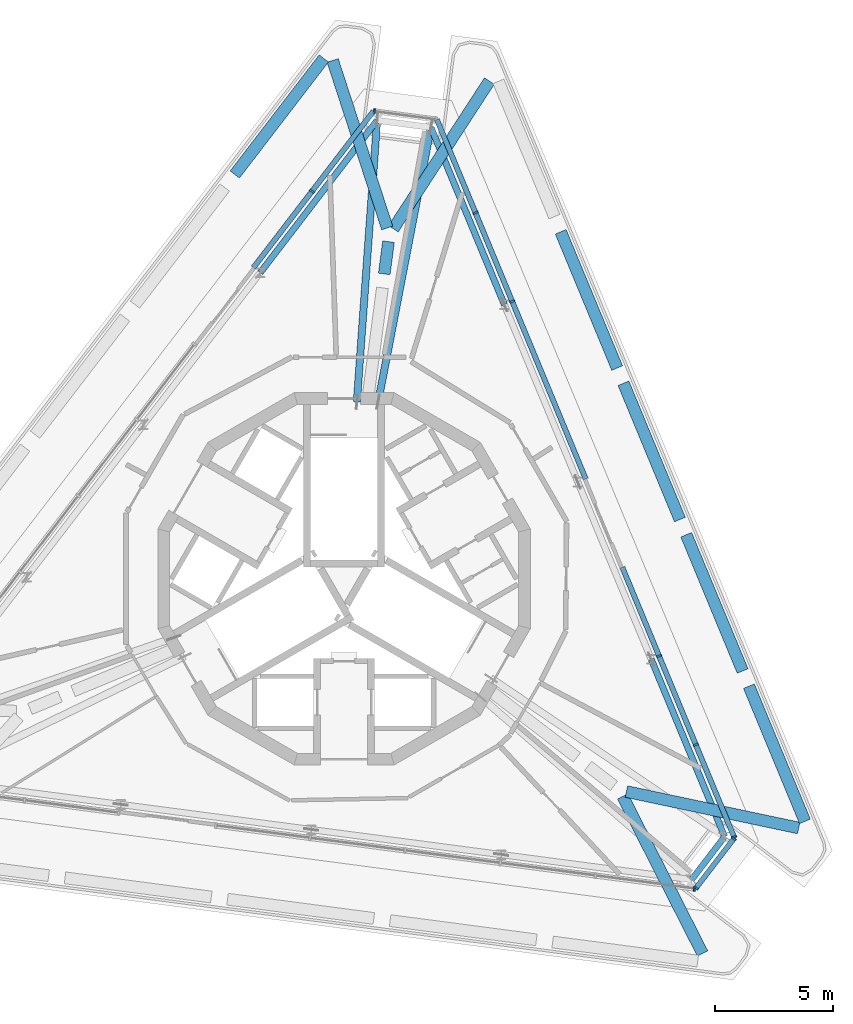
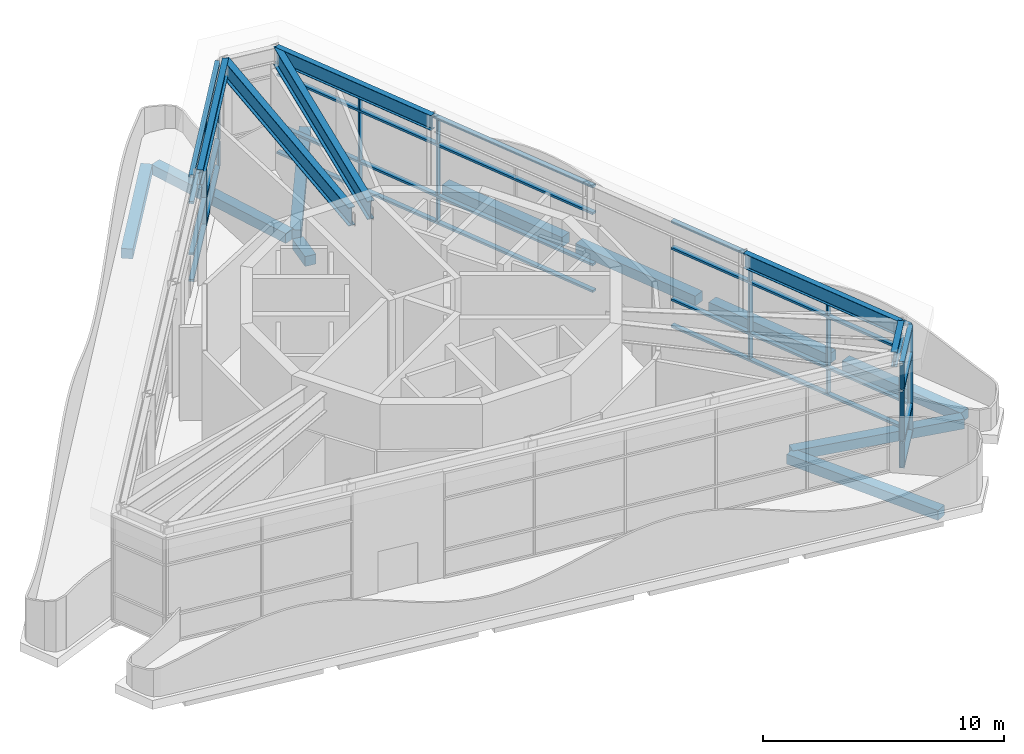
# One storey, part 4 of 10: 45 members, 16 beams, 6 elements without a shape of their own.
"""IFC4 building model written with IfcOpenShell, lengths in metres."""

from ifc_helpers import new_model, si_unit, direction, frame, origin, origin_2d, place, context, subcontext, project, spatial, rectangle, i_section, extrude, material, layer, layer_set, material_profile, profile_set, type_object, element, aggregate, save


model = new_model("IFC4")

# Units and contexts
model_context = context("Model", 3, precision=1e-05, world=origin(), true_north=direction((0.0, 1.0)))
body_context = subcontext(model_context, "Body", "Model", "MODEL_VIEW")
ifc_project = project(units=[si_unit("LENGTHUNIT", "METRE"), si_unit("AREAUNIT", "SQUARE_METRE"), si_unit("VOLUMEUNIT", "CUBIC_METRE"), si_unit("PLANEANGLEUNIT", "RADIAN"), si_unit("MASSUNIT", "GRAM", prefix="KILO")], contexts=[model_context])

# Site, building, storey
site_placement = place(None, origin())
site = spatial("IfcSite", under=ifc_project, at=site_placement, CompositionType="ELEMENT")
building_placement = place(site_placement, origin())
building = spatial("IfcBuilding", under=site, at=building_placement, Name="Trine Commons Tower", CompositionType="ELEMENT")
storey_placement = place(building_placement, frame((0.0, 0.0, 300.60009765625)))
storey = spatial("IfcBuildingStorey", under=building, at=storey_placement, Name="CROWN", CompositionType="ELEMENT", Elevation=300.60009765625)

# Curtain wall, members
ifc_material_1 = material(Name="Crown drum glazing: anodised aluminium frame with low-emissivity double glazed unit, fritted", Category="aluminium")
ifc_layer = layer(ifc_material_1, 0.219970703125)
ifc_layer_set = layer_set([ifc_layer], Name="Crown drum glazing: anodised aluminium frame with low-emissivity double glazed unit, fritted")
curtain_wall_type = type_object("IfcCurtainWallType", Name="Crown drum glazing curtain wall CW6", PredefinedType="NOTDEFINED", material=ifc_layer_set)
curtain_wall_1_placement = place(storey_placement, origin())
curtain_wall_1 = element("IfcCurtainWall", 1, at=curtain_wall_1_placement, inside=storey, type_object=curtain_wall_type, Name="Crown drum glazing D1.2", PredefinedType="NOTDEFINED")
ifc_material_2 = material(Name="Anodised aluminium, natural finish", Category="aluminium")
ifc_material_profile_1 = material_profile(ifc_material_2, rectangle(XDim=0.219970703125, YDim=0.080078125, at=origin_2d()), Name="Mullion 80x220")
ifc_profile_set_1 = profile_set([ifc_material_profile_1], Name="Anodised aluminium, natural finish")
member_type_1 = type_object("IfcMemberType", Name="Mullion 80x220, Anodised aluminium, natural finish", PredefinedType="MULLION", material=ifc_profile_set_1)
member_1_placement = place(storey_placement, frame((94.898193359375, 49.32568359375, 0.10986328125), z_axis=(0.0, 0.0, 1.0), x_axis=(0.13052619222, 0.991444861374, 0.0)))
member_1 = element("IfcMember", 2, at=member_1_placement, type_object=member_type_1, Name="CW6 mullion 6.1", PredefinedType="MULLION", context=body_context, shape_type="SweptSolid", body=[
    extrude(rectangle(XDim=0.219970703125, YDim=0.080078125, at=origin_2d()), origin(), (0.0, 0.0, 1.0), 1.235107421875),
])
member_2_placement = place(storey_placement, frame((94.898193359375, 49.32568359375, 1.454833984375), z_axis=(0.0, 0.0, 1.0), x_axis=(0.13052619222, 0.991444861374, 0.0)))
member_2 = element("IfcMember", 3, at=member_2_placement, type_object=member_type_1, Name="CW6 mullion 6.2", PredefinedType="MULLION", context=body_context, shape_type="SweptSolid", body=[
    extrude(rectangle(XDim=0.219970703125, YDim=0.080078125, at=origin_2d()), origin(), (0.0, 0.0, 1.0), 2.489990234375),
])
member_3_placement = place(storey_placement, frame((94.898193359375, 49.32568359375, 4.054931640625), z_axis=(0.0, 0.0, 1.0), x_axis=(0.13052619222, 0.991444861374, 0.0)))
member_3 = element("IfcMember", 4, at=member_3_placement, type_object=member_type_1, Name="CW6 mullion 6.3", PredefinedType="MULLION", context=body_context, shape_type="SweptSolid", body=[
    extrude(rectangle(XDim=0.219970703125, YDim=0.080078125, at=origin_2d()), origin(), (0.0, 0.0, 1.0), 1.23486328125),
])
aggregate(curtain_wall_1, [member_1, member_2, member_3])

curtain_wall_2_placement = place(storey_placement, origin())
curtain_wall_2 = element("IfcCurtainWall", 5, at=curtain_wall_2_placement, inside=storey, type_object=curtain_wall_type, Name="Crown drum glazing D2.1", PredefinedType="NOTDEFINED")
member_4_placement = place(storey_placement, frame((94.962158203125, 49.35205078125, 0.10986328125), z_axis=(0.0, 0.0, 1.0), x_axis=(-0.793353340291, 0.608761429009, 0.0)))
member_4 = element("IfcMember", 6, at=member_4_placement, type_object=member_type_1, Name="CW6 mullion 1.1", PredefinedType="MULLION", context=body_context, shape_type="SweptSolid", body=[
    extrude(rectangle(XDim=0.219970703125, YDim=0.080078125, at=origin_2d()), origin(), (0.0, 0.0, 1.0), 1.235107421875),
])
member_5_placement = place(storey_placement, frame((94.962158203125, 49.35205078125, 1.454833984375), z_axis=(0.0, 0.0, 1.0), x_axis=(-0.793353340291, 0.608761429009, 0.0)))
member_5 = element("IfcMember", 7, at=member_5_placement, type_object=member_type_1, Name="CW6 mullion 1.2", PredefinedType="MULLION", context=body_context, shape_type="SweptSolid", body=[
    extrude(rectangle(XDim=0.219970703125, YDim=0.080078125, at=origin_2d()), origin(), (0.0, 0.0, 1.0), 2.489990234375),
])
member_6_placement = place(storey_placement, frame((94.962158203125, 49.35205078125, 4.054931640625), z_axis=(0.0, 0.0, 1.0), x_axis=(-0.793353340291, 0.608761429009, 0.0)))
member_6 = element("IfcMember", 8, at=member_6_placement, type_object=member_type_1, Name="CW6 mullion 1.3", PredefinedType="MULLION", context=body_context, shape_type="SweptSolid", body=[
    extrude(rectangle(XDim=0.219970703125, YDim=0.080078125, at=origin_2d()), origin(), (0.0, 0.0, 1.0), 1.23486328125),
])
member_7_placement = place(storey_placement, frame((96.572265625, 51.45068359375, 0.10986328125), z_axis=(0.0, 0.0, 1.0), x_axis=(-0.793353340291, 0.608761429009, 0.0)))
member_7 = element("IfcMember", 9, at=member_7_placement, type_object=member_type_1, Name="CW6 mullion 2.1", PredefinedType="MULLION", context=body_context, shape_type="SweptSolid", body=[
    extrude(rectangle(XDim=0.219970703125, YDim=0.080078125, at=origin_2d()), origin(), (0.0, 0.0, 1.0), 1.235107421875),
])
member_8_placement = place(storey_placement, frame((96.572265625, 51.45068359375, 1.454833984375), z_axis=(0.0, 0.0, 1.0), x_axis=(-0.793353340291, 0.608761429009, 0.0)))
member_8 = element("IfcMember", 10, at=member_8_placement, type_object=member_type_1, Name="CW6 mullion 2.2", PredefinedType="MULLION", context=body_context, shape_type="SweptSolid", body=[
    extrude(rectangle(XDim=0.219970703125, YDim=0.080078125, at=origin_2d()), origin(), (0.0, 0.0, 1.0), 2.489990234375),
])
member_9_placement = place(storey_placement, frame((96.572265625, 51.45068359375, 4.054931640625), z_axis=(0.0, 0.0, 1.0), x_axis=(-0.793353340291, 0.608761429009, 0.0)))
member_9 = element("IfcMember", 11, at=member_9_placement, type_object=member_type_1, Name="CW6 mullion 2.3", PredefinedType="MULLION", context=body_context, shape_type="SweptSolid", body=[
    extrude(rectangle(XDim=0.219970703125, YDim=0.080078125, at=origin_2d()), origin(), (0.0, 0.0, 1.0), 1.23486328125),
])

curtain_wall_3_placement = place(storey_placement, origin())
curtain_wall_3 = element("IfcCurtainWall", 12, at=curtain_wall_3_placement, inside=storey, type_object=curtain_wall_type, Name="Crown drum glazing D3.1", PredefinedType="NOTDEFINED")
member_10_placement = place(storey_placement, frame((96.581298828125, 51.519287109375, 0.10986328125), z_axis=(0.0, 0.0, 1.0), x_axis=(-0.923879532511, -0.382683432365, 0.0)))
member_10 = element("IfcMember", 13, at=member_10_placement, type_object=member_type_1, Name="CW6 mullion 1.1", PredefinedType="MULLION", context=body_context, shape_type="SweptSolid", body=[
    extrude(rectangle(XDim=0.219970703125, YDim=0.080078125, at=origin_2d()), origin(), (0.0, 0.0, 1.0), 1.235107421875),
])
member_11_placement = place(storey_placement, frame((96.581298828125, 51.519287109375, 1.454833984375), z_axis=(0.0, 0.0, 1.0), x_axis=(-0.923879532511, -0.382683432365, 0.0)))
member_11 = element("IfcMember", 14, at=member_11_placement, type_object=member_type_1, Name="CW6 mullion 1.2", PredefinedType="MULLION", context=body_context, shape_type="SweptSolid", body=[
    extrude(rectangle(XDim=0.219970703125, YDim=0.080078125, at=origin_2d()), origin(), (0.0, 0.0, 1.0), 2.489990234375),
])
member_12_placement = place(storey_placement, frame((96.581298828125, 51.519287109375, 4.054931640625), z_axis=(0.0, 0.0, 1.0), x_axis=(-0.923879532511, -0.382683432365, 0.0)))
member_12 = element("IfcMember", 15, at=member_12_placement, type_object=member_type_1, Name="CW6 mullion 1.3", PredefinedType="MULLION", context=body_context, shape_type="SweptSolid", body=[
    extrude(rectangle(XDim=0.219970703125, YDim=0.080078125, at=origin_2d()), origin(), (0.0, 0.0, 1.0), 1.23486328125),
])
member_13_placement = place(storey_placement, frame((94.95556640625, 55.4443359375, 0.10986328125), z_axis=(0.0, 0.0, 1.0), x_axis=(-0.923879532511, -0.382683432365, 0.0)))
member_13 = element("IfcMember", 16, at=member_13_placement, type_object=member_type_1, Name="CW6 mullion 2.1", PredefinedType="MULLION", context=body_context, shape_type="SweptSolid", body=[
    extrude(rectangle(XDim=0.219970703125, YDim=0.080078125, at=origin_2d()), origin(), (0.0, 0.0, 1.0), 1.235107421875),
])
member_14_placement = place(storey_placement, frame((94.95556640625, 55.4443359375, 1.454833984375), z_axis=(0.0, 0.0, 1.0), x_axis=(-0.923879532511, -0.382683432365, 0.0)))
member_14 = element("IfcMember", 17, at=member_14_placement, type_object=member_type_1, Name="CW6 mullion 2.2", PredefinedType="MULLION", context=body_context, shape_type="SweptSolid", body=[
    extrude(rectangle(XDim=0.219970703125, YDim=0.080078125, at=origin_2d()), origin(), (0.0, 0.0, 1.0), 2.489990234375),
])
member_15_placement = place(storey_placement, frame((94.95556640625, 55.4443359375, 4.054931640625), z_axis=(0.0, 0.0, 1.0), x_axis=(-0.923879532511, -0.382683432365, 0.0)))
member_15 = element("IfcMember", 18, at=member_15_placement, type_object=member_type_1, Name="CW6 mullion 2.3", PredefinedType="MULLION", context=body_context, shape_type="SweptSolid", body=[
    extrude(rectangle(XDim=0.219970703125, YDim=0.080078125, at=origin_2d()), origin(), (0.0, 0.0, 1.0), 1.23486328125),
])
member_16_placement = place(storey_placement, frame((93.39404296875, 59.21435546875, 0.10986328125), z_axis=(0.0, 0.0, 1.0), x_axis=(-0.923879532511, -0.382683432365, 0.0)))
member_16 = element("IfcMember", 19, at=member_16_placement, type_object=member_type_1, Name="CW6 mullion 3.1", PredefinedType="MULLION", context=body_context, shape_type="SweptSolid", body=[
    extrude(rectangle(XDim=0.219970703125, YDim=0.080078125, at=origin_2d()), origin(), (0.0, 0.0, 1.0), 1.235107421875),
])
member_17_placement = place(storey_placement, frame((93.39404296875, 59.21435546875, 1.454833984375), z_axis=(0.0, 0.0, 1.0), x_axis=(-0.923879532511, -0.382683432365, 0.0)))
member_17 = element("IfcMember", 20, at=member_17_placement, type_object=member_type_1, Name="CW6 mullion 3.2", PredefinedType="MULLION", context=body_context, shape_type="SweptSolid", body=[
    extrude(rectangle(XDim=0.219970703125, YDim=0.080078125, at=origin_2d()), origin(), (0.0, 0.0, 1.0), 2.489990234375),
])
member_18_placement = place(storey_placement, frame((93.39404296875, 59.21435546875, 4.054931640625), z_axis=(0.0, 0.0, 1.0), x_axis=(-0.923879532511, -0.382683432365, 0.0)))
member_18 = element("IfcMember", 21, at=member_18_placement, type_object=member_type_1, Name="CW6 mullion 3.3", PredefinedType="MULLION", context=body_context, shape_type="SweptSolid", body=[
    extrude(rectangle(XDim=0.219970703125, YDim=0.080078125, at=origin_2d()), origin(), (0.0, 0.0, 1.0), 1.23486328125),
])

curtain_wall_4_placement = place(storey_placement, origin())
curtain_wall_4 = element("IfcCurtainWall", 22, at=curtain_wall_4_placement, inside=storey, type_object=curtain_wall_type, Name="Crown drum glazing D3.2", PredefinedType="NOTDEFINED")
member_19_placement = place(storey_placement, frame((87.147705078125, 74.294189453125, 0.10986328125), z_axis=(0.0, 0.0, 1.0), x_axis=(-0.923879532511, -0.382683432365, 0.0)))
member_19 = element("IfcMember", 23, at=member_19_placement, type_object=member_type_1, Name="CW6 mullion 3.1", PredefinedType="MULLION", context=body_context, shape_type="SweptSolid", body=[
    extrude(rectangle(XDim=0.219970703125, YDim=0.080078125, at=origin_2d()), origin(), (0.0, 0.0, 1.0), 1.235107421875),
])
member_20_placement = place(storey_placement, frame((87.147705078125, 74.294189453125, 1.454833984375), z_axis=(0.0, 0.0, 1.0), x_axis=(-0.923879532511, -0.382683432365, 0.0)))
member_20 = element("IfcMember", 24, at=member_20_placement, type_object=member_type_1, Name="CW6 mullion 3.2", PredefinedType="MULLION", context=body_context, shape_type="SweptSolid", body=[
    extrude(rectangle(XDim=0.219970703125, YDim=0.080078125, at=origin_2d()), origin(), (0.0, 0.0, 1.0), 2.489990234375),
])
member_21_placement = place(storey_placement, frame((87.147705078125, 74.294189453125, 4.054931640625), z_axis=(0.0, 0.0, 1.0), x_axis=(-0.923879532511, -0.382683432365, 0.0)))
member_21 = element("IfcMember", 25, at=member_21_placement, type_object=member_type_1, Name="CW6 mullion 3.3", PredefinedType="MULLION", context=body_context, shape_type="SweptSolid", body=[
    extrude(rectangle(XDim=0.219970703125, YDim=0.080078125, at=origin_2d()), origin(), (0.0, 0.0, 1.0), 1.23486328125),
])
member_22_placement = place(storey_placement, frame((85.586181640625, 78.064208984375, 0.10986328125), z_axis=(0.0, 0.0, 1.0), x_axis=(-0.923879532511, -0.382683432365, 0.0)))
member_22 = element("IfcMember", 26, at=member_22_placement, type_object=member_type_1, Name="CW6 mullion 4.1", PredefinedType="MULLION", context=body_context, shape_type="SweptSolid", body=[
    extrude(rectangle(XDim=0.219970703125, YDim=0.080078125, at=origin_2d()), origin(), (0.0, 0.0, 1.0), 1.235107421875),
])
member_23_placement = place(storey_placement, frame((85.586181640625, 78.064208984375, 1.454833984375), z_axis=(0.0, 0.0, 1.0), x_axis=(-0.923879532511, -0.382683432365, 0.0)))
member_23 = element("IfcMember", 27, at=member_23_placement, type_object=member_type_1, Name="CW6 mullion 4.2", PredefinedType="MULLION", context=body_context, shape_type="SweptSolid", body=[
    extrude(rectangle(XDim=0.219970703125, YDim=0.080078125, at=origin_2d()), origin(), (0.0, 0.0, 1.0), 2.489990234375),
])
member_24_placement = place(storey_placement, frame((85.586181640625, 78.064208984375, 4.054931640625), z_axis=(0.0, 0.0, 1.0), x_axis=(-0.923879532511, -0.382683432365, 0.0)))
member_24 = element("IfcMember", 28, at=member_24_placement, type_object=member_type_1, Name="CW6 mullion 4.3", PredefinedType="MULLION", context=body_context, shape_type="SweptSolid", body=[
    extrude(rectangle(XDim=0.219970703125, YDim=0.080078125, at=origin_2d()), origin(), (0.0, 0.0, 1.0), 1.23486328125),
])

curtain_wall_5_placement = place(storey_placement, origin())
curtain_wall_5 = element("IfcCurtainWall", 29, at=curtain_wall_5_placement, inside=storey, type_object=curtain_wall_type, Name="Crown drum glazing D4.1", PredefinedType="NOTDEFINED")
member_25_placement = place(storey_placement, frame((81.282958984375, 82.376708984375, 0.10986328125), z_axis=(0.0, 0.0, 1.0), x_axis=(-0.13052619222, -0.991444861374, 0.0)))
member_25 = element("IfcMember", 30, at=member_25_placement, type_object=member_type_1, Name="CW6 mullion 2.1", PredefinedType="MULLION", context=body_context, shape_type="SweptSolid", body=[
    extrude(rectangle(XDim=0.219970703125, YDim=0.080078125, at=origin_2d()), origin(), (0.0, 0.0, 1.0), 1.235107421875),
])
member_26_placement = place(storey_placement, frame((81.282958984375, 82.376708984375, 1.454833984375), z_axis=(0.0, 0.0, 1.0), x_axis=(-0.13052619222, -0.991444861374, 0.0)))
member_26 = element("IfcMember", 31, at=member_26_placement, type_object=member_type_1, Name="CW6 mullion 2.2", PredefinedType="MULLION", context=body_context, shape_type="SweptSolid", body=[
    extrude(rectangle(XDim=0.219970703125, YDim=0.080078125, at=origin_2d()), origin(), (0.0, 0.0, 1.0), 2.489990234375),
])
aggregate(curtain_wall_5, [member_25, member_26])

curtain_wall_6_placement = place(storey_placement, origin())
curtain_wall_6 = element("IfcCurtainWall", 32, at=curtain_wall_6_placement, inside=storey, type_object=curtain_wall_type, Name="Crown drum glazing D5.1", PredefinedType="NOTDEFINED")
member_27_placement = place(storey_placement, frame((78.632568359375, 78.979736328125, 0.10986328125), z_axis=(0.0, 0.0, 1.0), x_axis=(0.793353340291, -0.608761429009, 0.0)))
member_27 = element("IfcMember", 33, at=member_27_placement, type_object=member_type_1, Name="CW6 mullion 2.1", PredefinedType="MULLION", context=body_context, shape_type="SweptSolid", body=[
    extrude(rectangle(XDim=0.219970703125, YDim=0.080078125, at=origin_2d()), origin(), (0.0, 0.0, 1.0), 1.235107421875),
])
member_28_placement = place(storey_placement, frame((78.632568359375, 78.979736328125, 1.454833984375), z_axis=(0.0, 0.0, 1.0), x_axis=(0.793353340291, -0.608761429009, 0.0)))
member_28 = element("IfcMember", 34, at=member_28_placement, type_object=member_type_1, Name="CW6 mullion 2.2", PredefinedType="MULLION", context=body_context, shape_type="SweptSolid", body=[
    extrude(rectangle(XDim=0.219970703125, YDim=0.080078125, at=origin_2d()), origin(), (0.0, 0.0, 1.0), 2.489990234375),
])
member_29_placement = place(storey_placement, frame((78.632568359375, 78.979736328125, 4.054931640625), z_axis=(0.0, 0.0, 1.0), x_axis=(0.793353340291, -0.608761429009, 0.0)))
member_29 = element("IfcMember", 35, at=member_29_placement, type_object=member_type_1, Name="CW6 mullion 2.3", PredefinedType="MULLION", context=body_context, shape_type="SweptSolid", body=[
    extrude(rectangle(XDim=0.219970703125, YDim=0.080078125, at=origin_2d()), origin(), (0.0, 0.0, 1.0), 1.23486328125),
])

# Beams
ifc_material_3 = material(Name="Concrete C40/50", Category="concrete")
ifc_material_profile_2 = material_profile(ifc_material_3, rectangle(XDim=0.5, YDim=0.5, at=origin_2d()), Name="RC 500x500")
ifc_profile_set_2 = profile_set([ifc_material_profile_2], Name="Concrete C40/50")
beam_type_1 = type_object("IfcBeamType", Name="RC beam 500x500, C40/50", PredefinedType="BEAM", material=ifc_profile_set_2)
beam_1_placement = place(storey_placement, frame((75.3486328125, 79.693603515625, -0.7001953125), z_axis=(0.60873954155, 0.793370134649, 0.0), x_axis=(-0.793370134649, 0.60873954155, 0.0)))
element("IfcBeam", 36, at=beam_1_placement, inside=storey, type_object=beam_type_1, Name="Beam EB8-10 CROWN", PredefinedType="BEAM", context=body_context, shape_type="SweptSolid", body=[
    extrude(rectangle(XDim=0.5, YDim=0.5, at=origin_2d()), origin(), (0.0, 0.0, 1.0), 6.222900390625),
])
beam_2_placement = place(storey_placement, frame((89.210693359375, 77.257080078125, -0.7001953125), z_axis=(0.382724191967, -0.923862648278, 0.0), x_axis=(0.923862648278, 0.382724191967, 0.0)))
element("IfcBeam", 37, at=beam_2_placement, inside=storey, type_object=beam_type_1, Name="Beam EB8-12 CROWN", PredefinedType="BEAM", context=body_context, shape_type="SweptSolid", body=[
    extrude(rectangle(XDim=0.5, YDim=0.5, at=origin_2d()), origin(), (0.0, 0.0, 1.0), 6.2724609375),
])
for number, where, z_axis, x_axis, name in (
    (38, (91.879150390625, 70.815185546875, -0.7001953125), (0.38271043005, -0.923868349242, 0.0), (0.923868349242, 0.38271043005, 0.0), "Beam EB8-13 CROWN"),
    (39, (94.547607421875, 64.373291015625, -0.7001953125), (0.38267720894, -0.923882110314, 0.0), (0.923882110314, 0.38267720894, 0.0), "Beam EB8-14 CROWN"),
):
    element("IfcBeam", number, at=place(storey_placement, frame(where, z_axis=z_axis, x_axis=x_axis)), inside=storey, type_object=beam_type_1, Name=name, PredefinedType="BEAM", context=body_context, shape_type="SweptSolid", body=[
        extrude(rectangle(XDim=0.5, YDim=0.5, at=origin_2d()), origin(), (0.0, 0.0, 1.0), 6.272705078125),
    ])
beam_3_placement = place(storey_placement, frame((97.2158203125, 57.931396484375, -0.7001953125), z_axis=(0.382686748804, -0.92387815879, 0.0), x_axis=(0.92387815879, 0.382686748804, 0.0)))
element("IfcBeam", 40, at=beam_3_placement, inside=storey, type_object=beam_type_1, Name="Beam EB8-15 CROWN", PredefinedType="BEAM", context=body_context, shape_type="SweptSolid", body=[
    extrude(rectangle(XDim=0.5, YDim=0.5, at=origin_2d()), origin(), (0.0, 0.0, 1.0), 6.22265625),
])
for number, where, z_axis, x_axis, name in (
    (41, (79.51171875, 84.54443359375, -0.7001953125), (0.309945045927, -0.950754473303, 0.0), (0.950754473303, 0.309945045927, 0.0), "Beam CB8-03 CROWN"),
    (42, (86.177001953125, 83.6669921875, -0.7001953125), (-0.545439536042, -0.838150173013, 0.0), (0.838150173013, -0.545439536042, 0.0), "Beam CB8-04 CROWN"),
):
    element("IfcBeam", number, at=place(storey_placement, frame(where, z_axis=z_axis, x_axis=x_axis)), inside=storey, type_object=beam_type_1, Name=name, PredefinedType="BEAM", context=body_context, shape_type="SweptSolid", body=[
        extrude(rectangle(XDim=0.5, YDim=0.5, at=origin_2d()), origin(), (0.0, 0.0, 1.0), 7.492431640625),
    ])
beam_4_placement = place(storey_placement, frame((99.335205078125, 51.900634765625, -0.7001953125), z_axis=(-0.978346023525, 0.206975984727, 0.0), x_axis=(-0.206975984727, -0.978346023525, 0.0)))
element("IfcBeam", 43, at=beam_4_placement, inside=storey, type_object=beam_type_1, Name="Beam CB8-05 CROWN", PredefinedType="BEAM", context=body_context, shape_type="SweptSolid", body=[
    extrude(rectangle(XDim=0.5, YDim=0.5, at=origin_2d()), origin(), (0.0, 0.0, 1.0), 7.49267578125),
])
beam_5_placement = place(storey_placement, frame((95.242431640625, 46.56689453125, -0.7001953125), z_axis=(-0.453121168072, 0.891448936869, 0.0), x_axis=(-0.891448936869, -0.453121168072, 0.0)))
element("IfcBeam", 44, at=beam_5_placement, inside=storey, type_object=beam_type_1, Name="Beam CB8-06 CROWN", PredefinedType="BEAM", context=body_context, shape_type="SweptSolid", body=[
    extrude(rectangle(XDim=0.5, YDim=0.5, at=origin_2d()), origin(), (0.0, 0.0, 1.0), 7.492431640625),
])
beam_6_placement = place(storey_placement, frame((81.70703125, 75.4658203125, -0.7001953125), z_axis=(0.130454512571, 0.991454295543, 0.0), x_axis=(-0.991454295543, 0.130454512571, 0.0)))
element("IfcBeam", 45, at=beam_6_placement, inside=storey, type_object=beam_type_1, Name="Beam RB8-04 CROWN", PredefinedType="BEAM", context=body_context, shape_type="SweptSolid", body=[
    extrude(rectangle(XDim=0.5, YDim=0.5, at=origin_2d()), origin(), (0.0, 0.0, 1.0), 1.384765625),
])
ifc_material_4 = material(Name="Structural steel ASTM A992 Gr50", Category="steel")
ifc_material_profile_3 = material_profile(ifc_material_4, i_section(OverallWidth=0.2666015625, OverallDepth=0.7587890625, WebThickness=0.013916015625, FlangeThickness=0.019287109375, FilletRadius=0.0166015625, at=origin_2d()), Name="W30X108")
ifc_profile_set_3 = profile_set([ifc_material_profile_3], Name="Structural steel ASTM A992 Gr50")
beam_type_2 = type_object("IfcBeamType", Name="Steel beam W30X108, ASTM A992 Gr50", PredefinedType="BEAM", material=ifc_profile_set_3)
beam_7_placement = place(storey_placement, frame((76.43408203125, 75.523193359375, 5.320556640625), z_axis=(0.60877062267, 0.793346285662, 0.0), x_axis=(-0.793346285662, 0.60877062267, 0.0)))
element("IfcBeam", 46, at=beam_7_placement, inside=storey, type_object=beam_type_2, Name="Crown beam CR-05", PredefinedType="BEAM", context=body_context, shape_type="SweptSolid", body=[
    extrude(i_section(OverallWidth=0.2666015625, OverallDepth=0.7587890625, WebThickness=0.013916015625, FlangeThickness=0.019287109375, FilletRadius=0.0166015625, at=origin_2d()), origin(), (0.0, 0.0, 1.0), 8.1611328125),
])
for number, where, z_axis, x_axis, name in (
    (47, (83.69189453125, 81.696533203125, 5.320556640625), (0.38269436935, -0.923875002188, 0.0), (0.923875002188, 0.38269436935, 0.0), "Crown beam CR-07"),
    (48, (93.061279296875, 59.07666015625, 5.320556640625), (0.38269436935, -0.923875002188, 0.0), (0.923875002188, 0.38269436935, 0.0), "Crown beam CR-10"),
):
    element("IfcBeam", number, at=place(storey_placement, frame(where, z_axis=z_axis, x_axis=x_axis)), inside=storey, type_object=beam_type_2, Name=name, PredefinedType="BEAM", context=body_context, shape_type="SweptSolid", body=[
        extrude(i_section(OverallWidth=0.2666015625, OverallDepth=0.7587890625, WebThickness=0.013916015625, FlangeThickness=0.019287109375, FilletRadius=0.0166015625, at=origin_2d()), origin(), (0.0, 0.0, 1.0), 8.161376953125),
    ])
beam_8_placement = place(storey_placement, frame((96.1845703125, 51.53662109375, 5.320556640625), z_axis=(-0.608759983823, -0.793354449219, 0.0), x_axis=(0.793354449219, -0.608759983823, 0.0)))
element("IfcBeam", 49, at=beam_8_placement, inside=storey, type_object=beam_type_2, Name="Crown beam CR-11", PredefinedType="BEAM", context=body_context, shape_type="SweptSolid", body=[
    extrude(i_section(OverallWidth=0.2666015625, OverallDepth=0.7587890625, WebThickness=0.013916015625, FlangeThickness=0.019287109375, FilletRadius=0.0166015625, at=origin_2d()), origin(), (0.0, 0.0, 1.0), 2.309326171875),
])
ifc_material_profile_4 = material_profile(ifc_material_4, i_section(OverallWidth=0.30810546875, OverallDepth=0.927001953125, WebThickness=0.019287109375, FlangeThickness=0.031982421875, FilletRadius=0.01904296875, at=origin_2d()), Name="W36X194")
ifc_profile_set_4 = profile_set([ifc_material_profile_4], Name="Structural steel ASTM A992 Gr50")
beam_type_3 = type_object("IfcBeamType", Name="Steel beam W36X194, ASTM A992 Gr50", PredefinedType="BEAM", material=ifc_profile_set_4)
beam_9_placement = place(storey_placement, frame((80.541015625, 70.021484375, 5.236328125), z_axis=(0.071733995743, 0.99742379852, 0.0), x_axis=(-0.99742379852, 0.071733995743, 0.0)))
element("IfcBeam", 50, at=beam_9_placement, inside=storey, type_object=beam_type_3, Name="Crown girder CG-03", PredefinedType="BEAM", context=body_context, shape_type="SweptSolid", body=[
    extrude(i_section(OverallWidth=0.30810546875, OverallDepth=0.927001953125, WebThickness=0.019287109375, FlangeThickness=0.031982421875, FilletRadius=0.01904296875, at=origin_2d()), origin(), (0.0, 0.0, 1.0), 12.00732421875),
])
beam_10_placement = place(storey_placement, frame((81.44775390625, 70.02783203125, 5.236328125), z_axis=(0.188860348562, 0.982003955563, 0.0), x_axis=(-0.982003955563, 0.188860348562, 0.0)))
element("IfcBeam", 51, at=beam_10_placement, inside=storey, type_object=beam_type_3, Name="Crown girder CG-04", PredefinedType="BEAM", context=body_context, shape_type="SweptSolid", body=[
    extrude(i_section(OverallWidth=0.30810546875, OverallDepth=0.927001953125, WebThickness=0.019287109375, FlangeThickness=0.031982421875, FilletRadius=0.01904296875, at=origin_2d()), origin(), (0.0, 0.0, 1.0), 11.882568359375),
])

# Member
ifc_material_profile_5 = material_profile(ifc_material_2, rectangle(XDim=0.219970703125, YDim=0.110107421875, at=origin_2d()), Name="Transom 110x220")
ifc_profile_set_5 = profile_set([ifc_material_profile_5], Name="Anodised aluminium, natural finish")
member_type_2 = type_object("IfcMemberType", Name="Transom 110x220, Anodised aluminium, natural finish", PredefinedType="USERDEFINED", material=ifc_profile_set_5)
member_30_placement = place(storey_placement, frame((94.937744140625, 49.3203125, 0.054931640625), z_axis=(0.60873617864, 0.793372714942, 0.0), x_axis=(-0.793372714942, 0.60873617864, 0.0)))
member_30 = element("IfcMember", 52, at=member_30_placement, type_object=member_type_2, Name="CW6 transom T00", ObjectType="TRANSOM", PredefinedType="USERDEFINED", context=body_context, shape_type="SweptSolid", body=[
    extrude(rectangle(XDim=0.219970703125, YDim=0.110107421875, at=origin_2d()), origin(), (0.0, 0.0, 1.0), 2.72509765625),
])

member_31_placement = place(storey_placement, frame((94.937744140625, 49.3203125, 1.39990234375), z_axis=(0.60873617864, 0.793372714942, 0.0), x_axis=(-0.793372714942, 0.60873617864, 0.0)))
member_31 = element("IfcMember", 53, at=member_31_placement, type_object=member_type_2, Name="CW6 transom T01", ObjectType="TRANSOM", PredefinedType="USERDEFINED", context=body_context, shape_type="SweptSolid", body=[
    extrude(rectangle(XDim=0.219970703125, YDim=0.110107421875, at=origin_2d()), origin(), (0.0, 0.0, 1.0), 2.72509765625),
])

member_32_placement = place(storey_placement, frame((94.937744140625, 49.3203125, 4.0), z_axis=(0.60873617864, 0.793372714942, 0.0), x_axis=(-0.793372714942, 0.60873617864, 0.0)))
member_32 = element("IfcMember", 54, at=member_32_placement, type_object=member_type_2, Name="CW6 transom T02", ObjectType="TRANSOM", PredefinedType="USERDEFINED", context=body_context, shape_type="SweptSolid", body=[
    extrude(rectangle(XDim=0.219970703125, YDim=0.110107421875, at=origin_2d()), origin(), (0.0, 0.0, 1.0), 2.72509765625),
])

member_33_placement = place(storey_placement, frame((94.937744140625, 49.3203125, 5.344970703125), z_axis=(0.60873617864, 0.793372714942, 0.0), x_axis=(-0.793372714942, 0.60873617864, 0.0)))
member_33 = element("IfcMember", 55, at=member_33_placement, type_object=member_type_2, Name="CW6 transom TH00", ObjectType="TRANSOM", PredefinedType="USERDEFINED", context=body_context, shape_type="SweptSolid", body=[
    extrude(rectangle(XDim=0.219970703125, YDim=0.110107421875, at=origin_2d()), origin(), (0.0, 0.0, 1.0), 2.72509765625),
])

aggregate(curtain_wall_2, [member_30, member_31, member_32, member_33, member_4, member_5, member_6, member_7, member_8, member_9])

member_34_placement = place(storey_placement, frame((96.5966796875, 51.482421875, 0.054931640625), z_axis=(-0.38267624568, 0.923882509301, 0.0), x_axis=(-0.923882509301, -0.38267624568, 0.0)))
member_34 = element("IfcMember", 56, at=member_34_placement, type_object=member_type_2, Name="CW6 transom T00", ObjectType="TRANSOM", PredefinedType="USERDEFINED", context=body_context, shape_type="SweptSolid", body=[
    extrude(rectangle(XDim=0.219970703125, YDim=0.110107421875, at=origin_2d()), origin(), (0.0, 0.0, 1.0), 12.449462890625),
])

member_35_placement = place(storey_placement, frame((96.5966796875, 51.482421875, 1.39990234375), z_axis=(-0.38267624568, 0.923882509301, 0.0), x_axis=(-0.923882509301, -0.38267624568, 0.0)))
member_35 = element("IfcMember", 57, at=member_35_placement, type_object=member_type_2, Name="CW6 transom T01", ObjectType="TRANSOM", PredefinedType="USERDEFINED", context=body_context, shape_type="SweptSolid", body=[
    extrude(rectangle(XDim=0.219970703125, YDim=0.110107421875, at=origin_2d()), origin(), (0.0, 0.0, 1.0), 12.449462890625),
])

member_36_placement = place(storey_placement, frame((96.5966796875, 51.482421875, 4.0), z_axis=(-0.38267624568, 0.923882509301, 0.0), x_axis=(-0.923882509301, -0.38267624568, 0.0)))
member_36 = element("IfcMember", 58, at=member_36_placement, type_object=member_type_2, Name="CW6 transom T02", ObjectType="TRANSOM", PredefinedType="USERDEFINED", context=body_context, shape_type="SweptSolid", body=[
    extrude(rectangle(XDim=0.219970703125, YDim=0.110107421875, at=origin_2d()), origin(), (0.0, 0.0, 1.0), 12.449462890625),
])

member_37_placement = place(storey_placement, frame((96.5966796875, 51.482421875, 5.344970703125), z_axis=(-0.38267624568, 0.923882509301, 0.0), x_axis=(-0.923882509301, -0.38267624568, 0.0)))
member_37 = element("IfcMember", 59, at=member_37_placement, type_object=member_type_2, Name="CW6 transom TH00", ObjectType="TRANSOM", PredefinedType="USERDEFINED", context=body_context, shape_type="SweptSolid", body=[
    extrude(rectangle(XDim=0.219970703125, YDim=0.110107421875, at=origin_2d()), origin(), (0.0, 0.0, 1.0), 12.449462890625),
])

aggregate(curtain_wall_3, [member_34, member_35, member_36, member_37, member_10, member_11, member_12, member_13, member_14, member_15, member_16, member_17, member_18])

member_38_placement = place(storey_placement, frame((90.270751953125, 66.75439453125, 0.054931640625), z_axis=(-0.382674416459, 0.92388326697, 0.0), x_axis=(-0.92388326697, -0.382674416459, 0.0)))
member_38 = element("IfcMember", 60, at=member_38_placement, type_object=member_type_2, Name="CW6 transom T00", ObjectType="TRANSOM", PredefinedType="USERDEFINED", context=body_context, shape_type="SweptSolid", body=[
    extrude(rectangle(XDim=0.219970703125, YDim=0.110107421875, at=origin_2d()), origin(), (0.0, 0.0, 1.0), 16.5302734375),
])

member_39_placement = place(storey_placement, frame((90.270751953125, 66.75439453125, 1.39990234375), z_axis=(-0.382674416459, 0.92388326697, 0.0), x_axis=(-0.92388326697, -0.382674416459, 0.0)))
member_39 = element("IfcMember", 61, at=member_39_placement, type_object=member_type_2, Name="CW6 transom T01", ObjectType="TRANSOM", PredefinedType="USERDEFINED", context=body_context, shape_type="SweptSolid", body=[
    extrude(rectangle(XDim=0.219970703125, YDim=0.110107421875, at=origin_2d()), origin(), (0.0, 0.0, 1.0), 16.5302734375),
])

member_40_placement = place(storey_placement, frame((90.270751953125, 66.75439453125, 4.0), z_axis=(-0.382674416459, 0.92388326697, 0.0), x_axis=(-0.92388326697, -0.382674416459, 0.0)))
member_40 = element("IfcMember", 62, at=member_40_placement, type_object=member_type_2, Name="CW6 transom T02", ObjectType="TRANSOM", PredefinedType="USERDEFINED", context=body_context, shape_type="SweptSolid", body=[
    extrude(rectangle(XDim=0.219970703125, YDim=0.110107421875, at=origin_2d()), origin(), (0.0, 0.0, 1.0), 16.5302734375),
])

member_41_placement = place(storey_placement, frame((90.270751953125, 66.75439453125, 5.344970703125), z_axis=(-0.382674416459, 0.92388326697, 0.0), x_axis=(-0.92388326697, -0.382674416459, 0.0)))
member_41 = element("IfcMember", 63, at=member_41_placement, type_object=member_type_2, Name="CW6 transom TH00", ObjectType="TRANSOM", PredefinedType="USERDEFINED", context=body_context, shape_type="SweptSolid", body=[
    extrude(rectangle(XDim=0.219970703125, YDim=0.110107421875, at=origin_2d()), origin(), (0.0, 0.0, 1.0), 16.5302734375),
])

aggregate(curtain_wall_4, [member_38, member_39, member_40, member_41, member_19, member_20, member_21, member_22, member_23, member_24])

member_42_placement = place(storey_placement, frame((81.2431640625, 82.382080078125, 0.054931640625), z_axis=(-0.608757302086, -0.793356506974, 0.0), x_axis=(0.793356506974, -0.608757302086, 0.0)))
member_42 = element("IfcMember", 64, at=member_42_placement, type_object=member_type_2, Name="CW6 transom T00", ObjectType="TRANSOM", PredefinedType="USERDEFINED", context=body_context, shape_type="SweptSolid", body=[
    extrude(rectangle(XDim=0.219970703125, YDim=0.110107421875, at=origin_2d()), origin(), (0.0, 0.0, 1.0), 8.369140625),
])

member_43_placement = place(storey_placement, frame((81.2431640625, 82.382080078125, 1.39990234375), z_axis=(-0.608757302086, -0.793356506974, 0.0), x_axis=(0.793356506974, -0.608757302086, 0.0)))
member_43 = element("IfcMember", 65, at=member_43_placement, type_object=member_type_2, Name="CW6 transom T01", ObjectType="TRANSOM", PredefinedType="USERDEFINED", context=body_context, shape_type="SweptSolid", body=[
    extrude(rectangle(XDim=0.219970703125, YDim=0.110107421875, at=origin_2d()), origin(), (0.0, 0.0, 1.0), 8.369140625),
])

member_44_placement = place(storey_placement, frame((81.2431640625, 82.382080078125, 4.0), z_axis=(-0.608757302086, -0.793356506974, 0.0), x_axis=(0.793356506974, -0.608757302086, 0.0)))
member_44 = element("IfcMember", 66, at=member_44_placement, type_object=member_type_2, Name="CW6 transom T02", ObjectType="TRANSOM", PredefinedType="USERDEFINED", context=body_context, shape_type="SweptSolid", body=[
    extrude(rectangle(XDim=0.219970703125, YDim=0.110107421875, at=origin_2d()), origin(), (0.0, 0.0, 1.0), 8.369140625),
])

member_45_placement = place(storey_placement, frame((81.2431640625, 82.382080078125, 5.344970703125), z_axis=(-0.608757302086, -0.793356506974, 0.0), x_axis=(0.793356506974, -0.608757302086, 0.0)))
member_45 = element("IfcMember", 67, at=member_45_placement, type_object=member_type_2, Name="CW6 transom TH00", ObjectType="TRANSOM", PredefinedType="USERDEFINED", context=body_context, shape_type="SweptSolid", body=[
    extrude(rectangle(XDim=0.219970703125, YDim=0.110107421875, at=origin_2d()), origin(), (0.0, 0.0, 1.0), 8.369140625),
])

aggregate(curtain_wall_6, [member_42, member_43, member_44, member_45, member_27, member_28, member_29])

save(model, "model.ifc")
